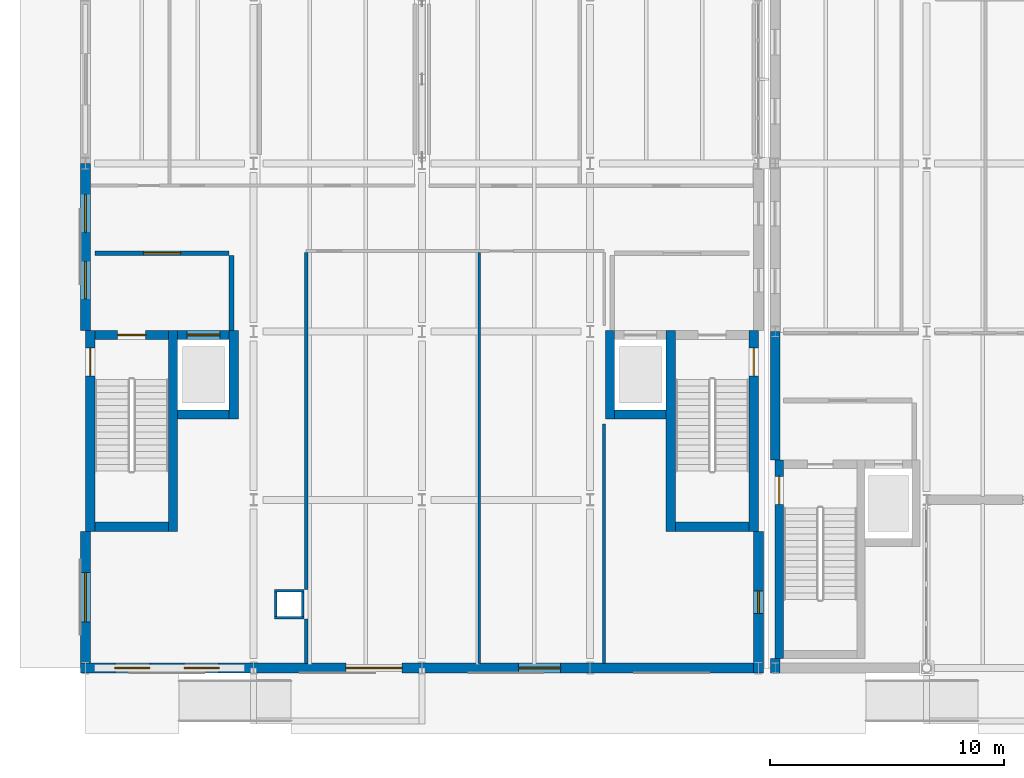
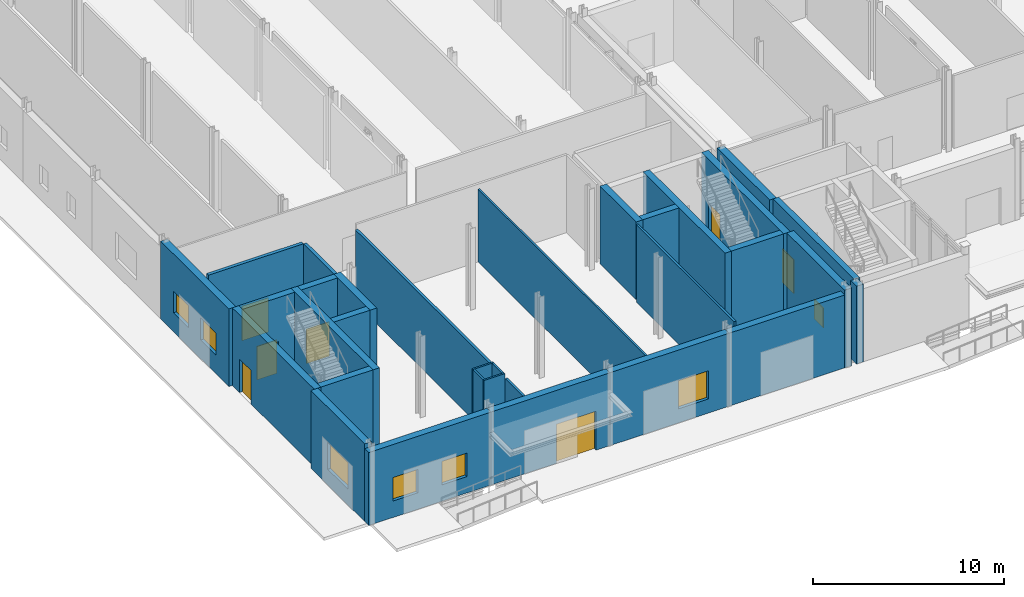
# One storey, part 58 of 89: 32 walls, 7 doors, 7 windows, 14 openings.
"""IFC4 building model written with IfcOpenShell, lengths in metres."""

import ifcopenshell
import ifcopenshell.guid

model = None  # the IFC model being written
_history = None  # IfcOwnerHistory: only IFC2X3 demands one
_inside = {}  # id of a spatial element -> (the spatial element, [elements in it])
_under = {}  # id of a project, library or spatial element -> (it, [spatial elements below it])
_declared = {}  # id of a project -> (the project, [libraries it declares])
_typed = {}  # id of a type object -> (the type object, [elements of that type])
_made_of = {}  # id of a material, layer set ... -> (it, [elements and type objects made of it])


def new_model(schema):
    """Start an empty IFC model of exactly this schema.

    Asked for "IFC4X3", IfcOpenShell would pick the latest addendum, in which some entities
    have other attributes; the version numbers below select the first issue.
    IFC2X3 requires an IfcOwnerHistory on every rooted entity: one is made here for all.
    """
    global model, _history
    if schema == "IFC4X3":
        model = ifcopenshell.file(schema_version=(4, 3, 0, 0))
    else:
        model = ifcopenshell.file(schema=schema)
    _inside.clear()
    _under.clear()
    _declared.clear()
    _typed.clear()
    _made_of.clear()
    _history = None
    if model.schema == "IFC2X3":
        org = make("IfcOrganization", Name="unknown")
        user = make(
            "IfcPersonAndOrganization",
            ThePerson=make("IfcPerson", FamilyName="unknown"),
            TheOrganization=org,
        )
        app = make(
            "IfcApplication",
            ApplicationDeveloper=org,
            Version="unknown",
            ApplicationFullName="unknown",
            ApplicationIdentifier="unknown",
        )
        _history = make(
            "IfcOwnerHistory",
            OwningUser=user,
            OwningApplication=app,
            ChangeAction="ADDED",
            CreationDate=0,
        )
    return model


def make(cls, **values):
    """One entity of the class cls with the attributes given. An attribute that is None is left unset."""
    return model.create_entity(
        cls, **{name: value for name, value in values.items() if value is not None}
    )


def rooted(cls, **values):
    """An entity with a GlobalId (a new one), such as an element, a storey or a relation."""
    return make(cls, GlobalId=ifcopenshell.guid.new(), OwnerHistory=_history, **values)


def si_unit(unit_type, name, prefix=None):
    """IfcSIUnit, for example si_unit("LENGTHUNIT", "METRE", prefix="MILLI")."""
    return make("IfcSIUnit", UnitType=unit_type, Prefix=prefix, Name=name)


def assignment(units):
    """IfcUnitAssignment: the units of a project."""
    return None if units is None else make("IfcUnitAssignment", Units=units)


def point(xyz):
    """IfcCartesianPoint."""
    return None if xyz is None else make("IfcCartesianPoint", Coordinates=xyz)


def direction(xyz):
    """IfcDirection."""
    return None if xyz is None else make("IfcDirection", DirectionRatios=xyz)


def frame(location, z_axis=None, x_axis=None):
    """IfcAxis2Placement3D, a coordinate frame: its origin and axes. An axis left out is left unset."""
    return make(
        "IfcAxis2Placement3D",
        Location=point(location),
        Axis=direction(z_axis),
        RefDirection=direction(x_axis),
    )


def frame_2d(location, x_axis=None):
    """IfcAxis2Placement2D, a coordinate frame in the plane: its origin and x axis."""
    return make(
        "IfcAxis2Placement2D", Location=point(location), RefDirection=direction(x_axis)
    )


def origin():
    """The frame at (0, 0, 0) with its axes left unset."""
    return frame((0.0, 0.0, 0.0))


def place(relative_to, where):
    """IfcLocalPlacement: puts the frame where relative to a parent placement (None: the world)."""
    return make(
        "IfcLocalPlacement", PlacementRelTo=relative_to, RelativePlacement=where
    )


def context(
    kind, dimensions, precision=None, world=None, true_north=None, identifier=None
):
    """IfcGeometricRepresentationContext, for example the 3D "Model" context."""
    return make(
        "IfcGeometricRepresentationContext",
        ContextIdentifier=identifier,
        ContextType=kind,
        CoordinateSpaceDimension=dimensions,
        Precision=precision,
        WorldCoordinateSystem=world,
        TrueNorth=true_north,
    )


def subcontext(parent, identifier, kind, view, scale=None):
    """IfcGeometricRepresentationSubContext, for example "Body" below "Model"."""
    return make(
        "IfcGeometricRepresentationSubContext",
        ContextIdentifier=identifier,
        ContextType=kind,
        ParentContext=parent,
        TargetScale=scale,
        TargetView=view,
    )


def project(units=None, contexts=None):
    """IfcProject with its units and contexts."""
    return rooted(
        "IfcProject",
        Name="project",
        RepresentationContexts=contexts,
        UnitsInContext=assignment(units),
    )


def spatial(cls, under=None, at=None, **own):
    """A site, building, storey or space (cls), placed at a placement, below another one or the project."""
    s = rooted(cls, ObjectPlacement=at, **own)
    if under is not None:
        _under.setdefault(under.id(), (under, []))[1].append(s)
    return s


def profile(cls, at=None, kind="AREA", **sizes):
    """A parametric profile (cls). Its sizes go by their IFC names, for example OverallWidth=200.0."""
    return make(cls, ProfileType=kind, Position=at, **sizes)


def rectangle(**sizes):
    """IfcRectangleProfileDef."""
    return profile("IfcRectangleProfileDef", **sizes)


def extrude(swept, where, along, depth):
    """IfcExtrudedAreaSolid: the profile swept, set in the frame where, extruded along a direction by depth."""
    return make(
        "IfcExtrudedAreaSolid",
        SweptArea=swept,
        Position=where,
        ExtrudedDirection=direction(along),
        Depth=depth,
    )


def shape(context_of_items, identifier, shape_type, items):
    """IfcShapeRepresentation: the items that make up one representation, for example the "Body"."""
    return make(
        "IfcShapeRepresentation",
        ContextOfItems=context_of_items,
        RepresentationIdentifier=identifier,
        RepresentationType=shape_type,
        Items=items,
    )


def material(Name=None, Category=None):
    """IfcMaterial."""
    return make("IfcMaterial", Name=Name, Category=Category)


def layer(
    of_material, thickness, ventilated=None, Name=None, Category=None, Priority=None
):
    """IfcMaterialLayer: one layer of a wall or slab, of a material (None: an air gap)."""
    return make(
        "IfcMaterialLayer",
        Material=of_material,
        LayerThickness=thickness,
        IsVentilated=ventilated,
        Name=Name,
        Category=Category,
        Priority=Priority,
    )


def layer_set(layers, Name=None):
    """IfcMaterialLayerSet."""
    return make("IfcMaterialLayerSet", MaterialLayers=layers, LayerSetName=Name)


def made_of(thing, what):
    """Note that an element or type object is made of a material, layer set ...; save() writes the relation."""
    if what is not None:
        _made_of.setdefault(what.id(), (what, []))[1].append(thing)
    return thing


def type_object(cls, material=None, **own):
    """A type object (cls), such as IfcWallType, which elements share."""
    return made_of(rooted(cls, **own), material)


def element(
    cls,
    number,
    at=None,
    inside=None,
    cuts=None,
    type_object=None,
    material=None,
    context=None,
    identifier="Body",
    shape_type=None,
    held_by="IfcProductDefinitionShape",
    body=None,
    shapes=None,
    **own,
):
    """One element of the class cls, such as IfcWall. Its Tag is "e" and its number.

    at: its placement. inside: the storey or other place that contains it. cuts: it is an
    opening in that element (IfcRelVoidsElement). A single representation is given by context,
    identifier, shape_type and body (its items); several are given by shapes. held_by: the class
    of the entity that holds the representations. save() writes the other relations.
    """
    e = rooted(cls, Tag="e%d" % number, ObjectPlacement=at, **own)
    if body is not None:
        shapes = [shape(context, identifier, shape_type, body)]
    if shapes is not None:
        e.Representation = make(held_by, Representations=shapes)
    if inside is not None:
        _inside.setdefault(inside.id(), (inside, []))[1].append(e)
    if cuts is not None:
        rooted(
            "IfcRelVoidsElement", RelatingBuildingElement=cuts, RelatedOpeningElement=e
        )
    if type_object is not None:
        _typed.setdefault(type_object.id(), (type_object, []))[1].append(e)
    return made_of(e, material)


def fill(opening, filler):
    """IfcRelFillsElement: the door or window that sits in an opening."""
    return rooted(
        "IfcRelFillsElement",
        RelatingOpeningElement=opening,
        RelatedBuildingElement=filler,
    )


def aggregate(whole, parts):
    """IfcRelAggregates: a whole, such as a stair, and the parts it consists of."""
    return rooted("IfcRelAggregates", RelatingObject=whole, RelatedObjects=parts)


def save(model, path):
    """Write the relations noted so far, then the file.

    IfcRelAggregates (storeys below a building ...), IfcRelContainedInSpatialStructure (elements
    in a storey), IfcRelDefinesByType, IfcRelAssociatesMaterial and IfcRelDeclares: one each for
    every whole, place, type object, material and project.
    """
    for whole, parts in _under.values():
        aggregate(whole, parts)
    for where, things in _inside.values():
        rooted(
            "IfcRelContainedInSpatialStructure",
            RelatedElements=things,
            RelatingStructure=where,
        )
    for kind, things in _typed.values():
        rooted("IfcRelDefinesByType", RelatedObjects=things, RelatingType=kind)
    for what, things in _made_of.values():
        rooted("IfcRelAssociatesMaterial", RelatedObjects=things, RelatingMaterial=what)
    for by, libraries in _declared.values():
        rooted("IfcRelDeclares", RelatingContext=by, RelatedDefinitions=libraries)
    model.write(path)


model = new_model("IFC4")

# Units and contexts
model_context = context("Model", 3, precision=1e-05, world=origin(), true_north=direction((0.0, 1.0)))
body_context = subcontext(model_context, "Body", "Model", "MODEL_VIEW")
ifc_project = project(units=[si_unit("LENGTHUNIT", "METRE"), si_unit("AREAUNIT", "SQUARE_METRE"), si_unit("VOLUMEUNIT", "CUBIC_METRE"), si_unit("PLANEANGLEUNIT", "RADIAN"), si_unit("MASSUNIT", "GRAM", prefix="KILO")], contexts=[model_context])

# Site, building, storey
site_placement = place(None, origin())
site = spatial("IfcSite", under=ifc_project, at=site_placement, CompositionType="ELEMENT")
building_placement = place(site_placement, origin())
building = spatial("IfcBuilding", under=site, at=building_placement, Name="Zarrinpeak Specialist Clinic", CompositionType="ELEMENT")
storey_placement = place(building_placement, origin())
storey = spatial("IfcBuildingStorey", under=building, at=storey_placement, Name="L00", CompositionType="ELEMENT", Elevation=0.0)

# Wall, opening, door
ifc_material_1 = material(Name="Concrete C40/50", Category="concrete")
ifc_layer_1 = layer(ifc_material_1, 0.35009765625)
ifc_layer_set_1 = layer_set([ifc_layer_1], Name="Concrete C40/50")
wall_type_1 = type_object("IfcWallType", Name="WL-CR350", PredefinedType="SHEAR", material=ifc_layer_set_1)
wall_1_placement = place(storey_placement, frame((29.695068359375, 0.39990234375, 0.0), z_axis=(0.0, 0.0, 1.0), x_axis=(0.0, 1.0, 0.0)))
wall_1 = element("IfcWall", 1, at=wall_1_placement, inside=storey, type_object=wall_type_1, Name="L00 Core C03 Shear Wall STW", PredefinedType="SHEAR", context=body_context, shape_type="SweptSolid", body=[
    extrude(rectangle(XDim=8.5, YDim=0.35009765625, at=frame_2d((4.25, 0.0))), origin(), (0.0, 0.0, 1.0), 4.969970703125),
])
opening_1_placement = place(wall_1_placement, frame((6.60009765625, 0.0, 0.0)))
opening_1 = element("IfcOpeningElement", 2, at=opening_1_placement, cuts=wall_1, Name="Opening D-EX2", PredefinedType="OPENING", context=body_context, shape_type="SweptSolid", body=[
    extrude(rectangle(XDim=1.199951171875, YDim=2.14990234375, at=frame_2d((0.60009765625, 1.074951171875))), frame((0.0, 0.18505859375, 0.0), z_axis=(0.0, -1.0, 0.0), x_axis=(1.0, 0.0, 0.0)), (0.0, 0.0, 1.0), 0.3701171875),
])
ifc_material_2 = material(Name="Powder-Coated Steel and Safety Glazing", Category="steel")
door_type_1 = type_object("IfcDoorType", Name="DR-EX120", OperationType="SINGLE_SWING_LEFT", PredefinedType="DOOR", material=ifc_material_2)
door_1_placement = place(opening_1_placement, frame((1.199951171875, 0.0, 0.0), z_axis=(0.0, 0.0, 1.0), x_axis=(-1.0, 0.0, 0.0)))
door_1 = element("IfcDoor", 3, at=door_1_placement, inside=storey, type_object=door_type_1, Name="L00 Protected Stair ST-03 Final Exit Discharge Door ED-03", OperationType="SINGLE_SWING_LEFT", OverallHeight=2.14990234375, OverallWidth=1.199951171875, PredefinedType="DOOR", context=body_context, shape_type="SweptSolid", body=[
    extrude(rectangle(XDim=1.199951171875, YDim=2.14990234375, at=frame_2d((0.60009765625, 1.074951171875))), frame((0.0, 0.02490234375, 0.0), z_axis=(0.0, -1.0, 0.0), x_axis=(1.0, 0.0, 0.0)), (0.0, 0.0, 1.0), 0.050048828125),
])
fill(opening_1, door_1)

# Wall
ifc_layer_2 = layer(ifc_material_1, 0.39990234375)
ifc_layer_set_2 = layer_set([ifc_layer_2], Name="Concrete C40/50")
wall_type_2 = type_object("IfcWallType", Name="WL-CR400", PredefinedType="SHEAR", material=ifc_layer_set_2)
wall_2_placement = place(storey_placement, frame((0.39990234375, 6.050048828125, 0.0), z_axis=(0.0, 0.0, 1.0), x_axis=(1.0, 0.0, 0.0)))
element("IfcWall", 4, at=wall_2_placement, inside=storey, type_object=wall_type_2, Name="L00 Core C01 Shear Wall STS", PredefinedType="SHEAR", context=body_context, shape_type="SweptSolid", body=[
    extrude(rectangle(XDim=3.150146484375, YDim=0.39990234375, at=frame_2d((1.5751953125, 0.0))), origin(), (0.0, 0.0, 1.0), 4.969970703125),
])

# Wall, opening, door
wall_3_placement = place(storey_placement, frame((0.39990234375, 14.25, 0.0), z_axis=(0.0, 0.0, 1.0), x_axis=(1.0, 0.0, 0.0)))
wall_3 = element("IfcWall", 5, at=wall_3_placement, inside=storey, type_object=wall_type_2, Name="L00 Core C01 Shear Wall STN", PredefinedType="SHEAR", context=body_context, shape_type="SweptSolid", body=[
    extrude(rectangle(XDim=3.150146484375, YDim=0.39990234375, at=frame_2d((1.5751953125, 0.0))), origin(), (0.0, 0.0, 1.0), 4.969970703125),
])
opening_2_placement = place(wall_3_placement, frame((0.97509765625, 0.0, 0.0)))
opening_2 = element("IfcOpeningElement", 6, at=opening_2_placement, cuts=wall_3, Name="Opening D-S01", PredefinedType="OPENING", context=body_context, shape_type="SweptSolid", body=[
    extrude(rectangle(XDim=1.199951171875, YDim=2.14990234375, at=frame_2d((0.60009765625, 1.074951171875))), frame((0.0, 0.2099609375, 0.0), z_axis=(0.0, -1.0, 0.0), x_axis=(1.0, 0.0, 0.0)), (0.0, 0.0, 1.0), 0.419921875),
])
ifc_material_3 = material(Name="Powder-Coated Galvanised Steel", Category="steel")
door_type_2 = type_object("IfcDoorType", Name="DR-FD120", OperationType="SINGLE_SWING_LEFT", PredefinedType="DOOR", material=ifc_material_3)
door_2_placement = place(opening_2_placement, frame((1.199951171875, 0.0, 0.0), z_axis=(0.0, 0.0, 1.0), x_axis=(-1.0, 0.0, 0.0)))
door_2 = element("IfcDoor", 7, at=door_2_placement, inside=storey, type_object=door_type_2, Name="L00 Protected Stair ST-01 Fire Door", OperationType="SINGLE_SWING_LEFT", OverallHeight=2.14990234375, OverallWidth=1.199951171875, PredefinedType="DOOR", context=body_context, shape_type="SweptSolid", body=[
    extrude(rectangle(XDim=1.199951171875, YDim=2.14990234375, at=frame_2d((0.60009765625, 1.074951171875))), frame((0.0, 0.02490234375, 0.0), z_axis=(0.0, -1.0, 0.0), x_axis=(1.0, 0.0, 0.0)), (0.0, 0.0, 1.0), 0.050048828125),
])
fill(opening_2, door_2)

wall_4_placement = place(storey_placement, frame((0.199951171875, 5.85009765625, 0.0), z_axis=(0.0, 0.0, 1.0), x_axis=(0.0, 1.0, 0.0)))
wall_4 = element("IfcWall", 8, at=wall_4_placement, inside=storey, type_object=wall_type_2, Name="L00 Core C01 Shear Wall STW", PredefinedType="SHEAR", context=body_context, shape_type="SweptSolid", body=[
    extrude(rectangle(XDim=8.599853515625, YDim=0.39990234375, at=frame_2d((4.2998046875, 0.0))), origin(), (0.0, 0.0, 1.0), 4.969970703125),
])
opening_3_placement = place(wall_4_placement, frame((6.64990234375, 0.0, 0.0)))
opening_3 = element("IfcOpeningElement", 9, at=opening_3_placement, cuts=wall_4, Name="Opening D-EX2", PredefinedType="OPENING", context=body_context, shape_type="SweptSolid", body=[
    extrude(rectangle(XDim=1.199951171875, YDim=2.14990234375, at=frame_2d((0.60009765625, 1.074951171875))), frame((0.0, 0.2099609375, 0.0), z_axis=(0.0, -1.0, 0.0), x_axis=(1.0, 0.0, 0.0)), (0.0, 0.0, 1.0), 0.419921875),
])
door_3_placement = place(opening_3_placement, origin())
door_3 = element("IfcDoor", 10, at=door_3_placement, inside=storey, type_object=door_type_1, Name="L00 Protected Stair ST-01 Final Exit Discharge Door ED-01", OperationType="SINGLE_SWING_LEFT", OverallHeight=2.14990234375, OverallWidth=1.199951171875, PredefinedType="DOOR", context=body_context, shape_type="SweptSolid", body=[
    extrude(rectangle(XDim=1.199951171875, YDim=2.14990234375, at=frame_2d((0.60009765625, 1.074951171875))), frame((0.0, 0.02490234375, 0.0), z_axis=(0.0, -1.0, 0.0), x_axis=(1.0, 0.0, 0.0)), (0.0, 0.0, 1.0), 0.050048828125),
])
fill(opening_3, door_3)

# Walls
wall_5_placement = place(storey_placement, frame((3.75, 5.85009765625, 0.0), z_axis=(0.0, 0.0, 1.0), x_axis=(0.0, 1.0, 0.0)))
element("IfcWall", 11, at=wall_5_placement, inside=storey, type_object=wall_type_2, Name="L00 Core C01 Shear Wall STE", PredefinedType="SHEAR", context=body_context, shape_type="SweptSolid", body=[
    extrude(rectangle(XDim=8.599853515625, YDim=0.39990234375, at=frame_2d((4.2998046875, 0.0))), origin(), (0.0, 0.0, 1.0), 4.969970703125),
])
wall_6_placement = place(storey_placement, frame((3.949951171875, 10.85009765625, 0.0), z_axis=(0.0, 0.0, 1.0), x_axis=(1.0, 0.0, 0.0)))
element("IfcWall", 12, at=wall_6_placement, inside=storey, type_object=wall_type_2, Name="L00 Lift LF-FF1 Shaft Wall LFS", PredefinedType="SHEAR", context=body_context, shape_type="SweptSolid", body=[
    extrude(rectangle(XDim=2.199951171875, YDim=0.39990234375, at=frame_2d((1.10009765625, 0.0))), origin(), (0.0, 0.0, 1.0), 4.969970703125),
])

# Wall, opening, door
wall_7_placement = place(storey_placement, frame((3.949951171875, 14.25, 0.0), z_axis=(0.0, 0.0, 1.0), x_axis=(1.0, 0.0, 0.0)))
wall_7 = element("IfcWall", 13, at=wall_7_placement, inside=storey, type_object=wall_type_2, Name="L00 Lift LF-FF1 Shaft Wall LFN", PredefinedType="SHEAR", context=body_context, shape_type="SweptSolid", body=[
    extrude(rectangle(XDim=2.199951171875, YDim=0.39990234375, at=frame_2d((1.10009765625, 0.0))), origin(), (0.0, 0.0, 1.0), 4.969970703125),
])
opening_4_placement = place(wall_7_placement, frame((0.39990234375, 0.0, 0.0)))
opening_4 = element("IfcOpeningElement", 14, at=opening_4_placement, cuts=wall_7, Name="Opening LD-01", PredefinedType="OPENING", context=body_context, shape_type="SweptSolid", body=[
    extrude(rectangle(XDim=1.39990234375, YDim=2.199951171875, at=frame_2d((0.699951171875, 1.10009765625))), frame((0.0, 0.2099609375, 0.0), z_axis=(0.0, -1.0, 0.0), x_axis=(1.0, 0.0, 0.0)), (0.0, 0.0, 1.0), 0.419921875),
])
door_type_3 = type_object("IfcDoorType", Name="DR-LD140", OperationType="SLIDING_TO_LEFT", PredefinedType="DOOR", material=ifc_material_3)
door_4_placement = place(opening_4_placement, origin())
door_4 = element("IfcDoor", 15, at=door_4_placement, inside=storey, type_object=door_type_3, Name="L00 Lift LF-FF1 Sliding Landing Door", OperationType="SLIDING_TO_LEFT", OverallHeight=2.199951171875, OverallWidth=1.39990234375, PredefinedType="DOOR", context=body_context, shape_type="SweptSolid", body=[
    extrude(rectangle(XDim=1.39990234375, YDim=2.199951171875, at=frame_2d((0.699951171875, 1.10009765625))), frame((0.0, 0.02490234375, 0.0), z_axis=(0.0, -1.0, 0.0), x_axis=(1.0, 0.0, 0.0)), (0.0, 0.0, 1.0), 0.050048828125),
])
fill(opening_4, door_4)

# Walls
wall_8_placement = place(storey_placement, frame((6.35009765625, 10.64990234375, 0.0), z_axis=(0.0, 0.0, 1.0), x_axis=(0.0, 1.0, 0.0)))
element("IfcWall", 16, at=wall_8_placement, inside=storey, type_object=wall_type_2, Name="L00 Lift LF-FF1 Shaft Wall LFE", PredefinedType="SHEAR", context=body_context, shape_type="SweptSolid", body=[
    extrude(rectangle(XDim=3.800048828125, YDim=0.39990234375, at=frame_2d((1.89990234375, 0.0))), origin(), (0.0, 0.0, 1.0), 4.969970703125),
])
wall_9_placement = place(storey_placement, frame((25.25, 6.050048828125, 0.0), z_axis=(0.0, 0.0, 1.0), x_axis=(1.0, 0.0, 0.0)))
element("IfcWall", 17, at=wall_9_placement, inside=storey, type_object=wall_type_2, Name="L00 Core C02 Shear Wall STS", PredefinedType="SHEAR", context=body_context, shape_type="SweptSolid", body=[
    extrude(rectangle(XDim=3.14990234375, YDim=0.39990234375, at=frame_2d((1.574951171875, 0.0))), origin(), (0.0, 0.0, 1.0), 4.969970703125),
])
wall_10_placement = place(storey_placement, frame((25.050048828125, 5.85009765625, 0.0), z_axis=(0.0, 0.0, 1.0), x_axis=(0.0, 1.0, 0.0)))
element("IfcWall", 18, at=wall_10_placement, inside=storey, type_object=wall_type_2, Name="L00 Core C02 Shear Wall STW", PredefinedType="SHEAR", context=body_context, shape_type="SweptSolid", body=[
    extrude(rectangle(XDim=8.599853515625, YDim=0.39990234375, at=frame_2d((4.2998046875, 0.0))), origin(), (0.0, 0.0, 1.0), 4.969970703125),
])

# Wall, opening, door
wall_11_placement = place(storey_placement, frame((28.60009765625, 5.85009765625, 0.0), z_axis=(0.0, 0.0, 1.0), x_axis=(0.0, 1.0, 0.0)))
wall_11 = element("IfcWall", 19, at=wall_11_placement, inside=storey, type_object=wall_type_2, Name="L00 Core C02 Shear Wall STE", PredefinedType="SHEAR", context=body_context, shape_type="SweptSolid", body=[
    extrude(rectangle(XDim=8.599853515625, YDim=0.39990234375, at=frame_2d((4.2998046875, 0.0))), origin(), (0.0, 0.0, 1.0), 4.969970703125),
])
opening_5_placement = place(wall_11_placement, frame((6.64990234375, 0.0, 0.0)))
opening_5 = element("IfcOpeningElement", 20, at=opening_5_placement, cuts=wall_11, Name="Opening D-EX2", PredefinedType="OPENING", context=body_context, shape_type="SweptSolid", body=[
    extrude(rectangle(XDim=1.199951171875, YDim=2.14990234375, at=frame_2d((0.60009765625, 1.074951171875))), frame((0.0, 0.2099609375, 0.0), z_axis=(0.0, -1.0, 0.0), x_axis=(1.0, 0.0, 0.0)), (0.0, 0.0, 1.0), 0.419921875),
])
door_5_placement = place(opening_5_placement, origin())
door_5 = element("IfcDoor", 21, at=door_5_placement, inside=storey, type_object=door_type_1, Name="L00 Protected Stair ST-02 Final Exit Discharge Door ED-02", OperationType="SINGLE_SWING_LEFT", OverallHeight=2.14990234375, OverallWidth=1.199951171875, PredefinedType="DOOR", context=body_context, shape_type="SweptSolid", body=[
    extrude(rectangle(XDim=1.199951171875, YDim=2.14990234375, at=frame_2d((0.60009765625, 1.074951171875))), frame((0.0, 0.02490234375, 0.0), z_axis=(0.0, -1.0, 0.0), x_axis=(1.0, 0.0, 0.0)), (0.0, 0.0, 1.0), 0.050048828125),
])
fill(opening_5, door_5)

# Walls
wall_12_placement = place(storey_placement, frame((22.64990234375, 10.85009765625, 0.0), z_axis=(0.0, 0.0, 1.0), x_axis=(1.0, 0.0, 0.0)))
element("IfcWall", 22, at=wall_12_placement, inside=storey, type_object=wall_type_2, Name="L00 Lift LF-FF2 Shaft Wall LFS", PredefinedType="SHEAR", context=body_context, shape_type="SweptSolid", body=[
    extrude(rectangle(XDim=2.2001953125, YDim=0.39990234375, at=frame_2d((1.10009765625, 0.0))), origin(), (0.0, 0.0, 1.0), 4.969970703125),
])
wall_13_placement = place(storey_placement, frame((22.449951171875, 10.64990234375, 0.0), z_axis=(0.0, 0.0, 1.0), x_axis=(0.0, 1.0, 0.0)))
element("IfcWall", 23, at=wall_13_placement, inside=storey, type_object=wall_type_2, Name="L00 Lift LF-FF2 Shaft Wall LFW", PredefinedType="SHEAR", context=body_context, shape_type="SweptSolid", body=[
    extrude(rectangle(XDim=3.800048828125, YDim=0.39990234375, at=frame_2d((1.89990234375, 0.0))), origin(), (0.0, 0.0, 1.0), 4.969970703125),
])

# Wall, openings, windows
ifc_material_4 = material(Name="Precast concrete C40/50", Category="concrete")
ifc_layer_3 = layer(ifc_material_4, 0.419921875)
ifc_layer_set_3 = layer_set([ifc_layer_3], Name="Precast concrete C40/50")
wall_type_3 = type_object("IfcWallType", Name="WL-EW420", PredefinedType="STANDARD", material=ifc_layer_set_3)
wall_14_placement = place(storey_placement, frame((-0.2099609375, 0.0, 0.0), z_axis=(0.0, 0.0, 1.0), x_axis=(1.0, 0.0, 0.0)))
wall_14 = element("IfcWall", 24, at=wall_14_placement, inside=storey, type_object=wall_type_3, Name="L00 V1 Exterior GRC Wall EW-L00-V1-0001", PredefinedType="STANDARD", context=body_context, shape_type="SweptSolid", body=[
    extrude(rectangle(XDim=7.409912109375, YDim=0.419921875, at=frame_2d((3.705078125, 0.0))), origin(), (0.0, 0.0, 1.0), 4.6650390625),
])
opening_6_placement = place(wall_14_placement, frame((1.472900390625, 0.0, 1.050048828125)))
opening_6 = element("IfcOpeningElement", 25, at=opening_6_placement, cuts=wall_14, Name="Opening W-05", PredefinedType="OPENING", context=body_context, shape_type="SweptSolid", body=[
    extrude(rectangle(XDim=1.5, YDim=1.5, at=frame_2d((0.75, 0.75))), frame((0.0, 0.219970703125, 0.0), z_axis=(0.0, -1.0, 0.0), x_axis=(1.0, 0.0, 0.0)), (0.0, 0.0, 1.0), 0.43994140625),
])
opening_7_placement = place(wall_14_placement, frame((4.43701171875, 0.0, 1.050048828125)))
opening_7 = element("IfcOpeningElement", 26, at=opening_7_placement, cuts=wall_14, Name="Opening W-05", PredefinedType="OPENING", context=body_context, shape_type="SweptSolid", body=[
    extrude(rectangle(XDim=1.5, YDim=1.5, at=frame_2d((0.75, 0.75))), frame((0.0, 0.219970703125, 0.0), z_axis=(0.0, -1.0, 0.0), x_axis=(1.0, 0.0, 0.0)), (0.0, 0.0, 1.0), 0.43994140625),
])
ifc_material_5 = material(Name="Thermally Broken Aluminium and Low-E Glazing", Category="aluminium")
window_type_1 = type_object("IfcWindowType", Name="WN-SQ150", PartitioningType="SINGLE_PANEL", PredefinedType="WINDOW", material=ifc_material_5)
window_1_placement = place(opening_6_placement, origin())
window_1 = element("IfcWindow", 27, at=window_1_placement, inside=storey, type_object=window_type_1, Name="L00 Modular Facade Window WN-L00-0001", OverallHeight=1.5, OverallWidth=1.5, PartitioningType="SINGLE_PANEL", PredefinedType="WINDOW", context=body_context, shape_type="SweptSolid", body=[
    extrude(rectangle(XDim=1.5, YDim=1.5, at=frame_2d((0.75, 0.75))), frame((0.0, 0.030029296875, 0.0), z_axis=(0.0, -1.0, 0.0), x_axis=(1.0, 0.0, 0.0)), (0.0, 0.0, 1.0), 0.06005859375),
])
fill(opening_6, window_1)
window_2_placement = place(opening_7_placement, origin())
window_2 = element("IfcWindow", 28, at=window_2_placement, inside=storey, type_object=window_type_1, Name="L00 Modular Facade Window WN-L00-0002", OverallHeight=1.5, OverallWidth=1.5, PartitioningType="SINGLE_PANEL", PredefinedType="WINDOW", context=body_context, shape_type="SweptSolid", body=[
    extrude(rectangle(XDim=1.5, YDim=1.5, at=frame_2d((0.75, 0.75))), frame((0.0, 0.030029296875, 0.0), z_axis=(0.0, -1.0, 0.0), x_axis=(1.0, 0.0, 0.0)), (0.0, 0.0, 1.0), 0.06005859375),
])
fill(opening_7, window_2)

# Wall, opening, door
wall_15_placement = place(storey_placement, frame((7.199951171875, 0.0, 0.0), z_axis=(0.0, 0.0, 1.0), x_axis=(1.0, 0.0, 0.0)))
wall_15 = element("IfcWall", 29, at=wall_15_placement, inside=storey, type_object=wall_type_3, Name="L00 V1 Exterior GRC Wall EW-L00-V1-0002", PredefinedType="STANDARD", context=body_context, shape_type="SweptSolid", body=[
    extrude(rectangle(XDim=7.199951171875, YDim=0.419921875, at=frame_2d((3.60009765625, 0.0))), origin(), (0.0, 0.0, 1.0), 4.6650390625),
])
opening_8_placement = place(wall_15_placement, frame((3.949951171875, 0.0, 0.0)))
opening_8 = element("IfcOpeningElement", 30, at=opening_8_placement, cuts=wall_15, Name="Opening D-E01", PredefinedType="OPENING", context=body_context, shape_type="SweptSolid", body=[
    extrude(rectangle(XDim=2.39990234375, YDim=2.5, at=frame_2d((1.199951171875, 1.25))), frame((0.0, 0.219970703125, 0.0), z_axis=(0.0, -1.0, 0.0), x_axis=(1.0, 0.0, 0.0)), (0.0, 0.0, 1.0), 0.43994140625),
])
door_type_4 = type_object("IfcDoorType", Name="DR-ENT240", OperationType="DOUBLE_DOOR_SINGLE_SWING", PredefinedType="DOOR", material=ifc_material_2)
door_6_placement = place(opening_8_placement, origin())
door_6 = element("IfcDoor", 31, at=door_6_placement, inside=storey, type_object=door_type_4, Name="V1 South Promenade Outpatient Main Entrance", OperationType="DOUBLE_DOOR_SINGLE_SWING", OverallHeight=2.5, OverallWidth=2.39990234375, PredefinedType="DOOR", context=body_context, shape_type="SweptSolid", body=[
    extrude(rectangle(XDim=2.39990234375, YDim=2.5, at=frame_2d((1.199951171875, 1.25))), frame((0.0, 0.02490234375, 0.0), z_axis=(0.0, -1.0, 0.0), x_axis=(1.0, 0.0, 0.0)), (0.0, 0.0, 1.0), 0.050048828125),
])
fill(opening_8, door_6)

# Wall, opening, window
wall_16_placement = place(storey_placement, frame((14.39990234375, 0.0, 0.0), z_axis=(0.0, 0.0, 1.0), x_axis=(1.0, 0.0, 0.0)))
wall_16 = element("IfcWall", 32, at=wall_16_placement, inside=storey, type_object=wall_type_3, Name="L00 V1 Exterior GRC Wall EW-L00-V1-0003", PredefinedType="STANDARD", context=body_context, shape_type="SweptSolid", body=[
    extrude(rectangle(XDim=7.2001953125, YDim=0.419921875, at=frame_2d((3.60009765625, 0.0))), origin(), (0.0, 0.0, 1.0), 4.6650390625),
])
opening_9_placement = place(wall_16_placement, frame((4.139892578125, 0.0, 0.89990234375)))
opening_9 = element("IfcOpeningElement", 33, at=opening_9_placement, cuts=wall_16, Name="Opening W-01", PredefinedType="OPENING", context=body_context, shape_type="SweptSolid", body=[
    extrude(rectangle(XDim=1.800048828125, YDim=1.800048828125, at=frame_2d((0.89990234375, 0.89990234375))), frame((0.0, 0.219970703125, 0.0), z_axis=(0.0, -1.0, 0.0), x_axis=(1.0, 0.0, 0.0)), (0.0, 0.0, 1.0), 0.43994140625),
])
window_type_2 = type_object("IfcWindowType", Name="WN-CL180", PartitioningType="SINGLE_PANEL", PredefinedType="WINDOW", material=ifc_material_5)
window_3_placement = place(opening_9_placement, origin())
window_3 = element("IfcWindow", 34, at=window_3_placement, inside=storey, type_object=window_type_2, Name="L00 Modular Facade Window WN-L00-0003", OverallHeight=1.800048828125, OverallWidth=1.800048828125, PartitioningType="SINGLE_PANEL", PredefinedType="WINDOW", context=body_context, shape_type="SweptSolid", body=[
    extrude(rectangle(XDim=1.800048828125, YDim=1.800048828125, at=frame_2d((0.89990234375, 0.89990234375))), frame((0.0, 0.030029296875, 0.0), z_axis=(0.0, -1.0, 0.0), x_axis=(1.0, 0.0, 0.0)), (0.0, 0.0, 1.0), 0.06005859375),
])
fill(opening_9, window_3)

# Wall
wall_17_placement = place(storey_placement, frame((21.60009765625, 0.0, 0.0), z_axis=(0.0, 0.0, 1.0), x_axis=(1.0, 0.0, 0.0)))
element("IfcWall", 35, at=wall_17_placement, inside=storey, type_object=wall_type_3, Name="L00 V1 Exterior GRC Wall EW-L00-V1-0004", PredefinedType="STANDARD", context=body_context, shape_type="SweptSolid", body=[
    extrude(rectangle(XDim=6.989990234375, YDim=0.419921875, at=frame_2d((3.4951171875, 0.0))), origin(), (0.0, 0.0, 1.0), 4.6650390625),
])

# Wall, opening, window
wall_18_placement = place(storey_placement, frame((0.0, 5.85009765625, 0.0), z_axis=(0.0, 0.0, 1.0), x_axis=(0.0, -1.0, 0.0)))
wall_18 = element("IfcWall", 36, at=wall_18_placement, inside=storey, type_object=wall_type_3, Name="L00 V1 Exterior GRC Wall EW-L00-V1-0007", PredefinedType="STANDARD", context=body_context, shape_type="SweptSolid", body=[
    extrude(rectangle(XDim=5.64013671875, YDim=0.419921875, at=frame_2d((2.820068359375, 0.0))), origin(), (0.0, 0.0, 1.0), 4.969970703125),
])
opening_10_placement = place(wall_18_placement, frame((1.77001953125, 0.0, 1.0)))
opening_10 = element("IfcOpeningElement", 37, at=opening_10_placement, cuts=wall_18, Name="Opening W-08", PredefinedType="OPENING", context=body_context, shape_type="SweptSolid", body=[
    extrude(rectangle(XDim=2.10009765625, YDim=1.699951171875, at=frame_2d((1.050048828125, 0.85009765625))), frame((0.0, 0.219970703125, 0.0), z_axis=(0.0, -1.0, 0.0), x_axis=(1.0, 0.0, 0.0)), (0.0, 0.0, 1.0), 0.43994140625),
])
window_type_3 = type_object("IfcWindowType", Name="WN-LAB210", PartitioningType="SINGLE_PANEL", PredefinedType="WINDOW", material=ifc_material_5)
window_4_placement = place(opening_10_placement, origin())
window_4 = element("IfcWindow", 38, at=window_4_placement, inside=storey, type_object=window_type_3, Name="L00 Modular Facade Window WN-L00-0008", OverallHeight=1.699951171875, OverallWidth=2.10009765625, PartitioningType="SINGLE_PANEL", PredefinedType="WINDOW", context=body_context, shape_type="SweptSolid", body=[
    extrude(rectangle(XDim=2.10009765625, YDim=1.699951171875, at=frame_2d((1.050048828125, 0.85009765625))), frame((0.0, 0.030029296875, 0.0), z_axis=(0.0, -1.0, 0.0), x_axis=(1.0, 0.0, 0.0)), (0.0, 0.0, 1.0), 0.06005859375),
])
fill(opening_10, window_4)

# Wall, openings, windows
wall_19_placement = place(storey_placement, frame((0.0, 21.60009765625, 0.0), z_axis=(0.0, 0.0, 1.0), x_axis=(0.0, -1.0, 0.0)))
wall_19 = element("IfcWall", 39, at=wall_19_placement, inside=storey, type_object=wall_type_3, Name="L00 V1 Exterior GRC Wall EW-L00-V1-0008", PredefinedType="STANDARD", context=body_context, shape_type="SweptSolid", body=[
    extrude(rectangle(XDim=7.150146484375, YDim=0.419921875, at=frame_2d((3.5751953125, 0.0))), origin(), (0.0, 0.0, 1.0), 4.969970703125),
])
opening_11_placement = place(wall_19_placement, frame((1.344970703125, 0.0, 1.199951171875)))
opening_11 = element("IfcOpeningElement", 40, at=opening_11_placement, cuts=wall_19, Name="Opening W-10", PredefinedType="OPENING", context=body_context, shape_type="SweptSolid", body=[
    extrude(rectangle(XDim=1.60009765625, YDim=1.39990234375, at=frame_2d((0.800048828125, 0.699951171875))), frame((0.0, 0.219970703125, 0.0), z_axis=(0.0, -1.0, 0.0), x_axis=(1.0, 0.0, 0.0)), (0.0, 0.0, 1.0), 0.43994140625),
])
opening_12_placement = place(wall_19_placement, frame((4.205078125, 0.0, 1.199951171875)))
opening_12 = element("IfcOpeningElement", 41, at=opening_12_placement, cuts=wall_19, Name="Opening W-10", PredefinedType="OPENING", context=body_context, shape_type="SweptSolid", body=[
    extrude(rectangle(XDim=1.60009765625, YDim=1.39990234375, at=frame_2d((0.800048828125, 0.699951171875))), frame((0.0, 0.219970703125, 0.0), z_axis=(0.0, -1.0, 0.0), x_axis=(1.0, 0.0, 0.0)), (0.0, 0.0, 1.0), 0.43994140625),
])
window_type_4 = type_object("IfcWindowType", Name="WN-NRS160", PartitioningType="SINGLE_PANEL", PredefinedType="WINDOW", material=ifc_material_5)
window_5_placement = place(opening_11_placement, origin())
window_5 = element("IfcWindow", 42, at=window_5_placement, inside=storey, type_object=window_type_4, Name="L00 Modular Facade Window WN-L00-0009", OverallHeight=1.39990234375, OverallWidth=1.60009765625, PartitioningType="SINGLE_PANEL", PredefinedType="WINDOW", context=body_context, shape_type="SweptSolid", body=[
    extrude(rectangle(XDim=1.60009765625, YDim=1.39990234375, at=frame_2d((0.800048828125, 0.699951171875))), frame((0.0, 0.030029296875, 0.0), z_axis=(0.0, -1.0, 0.0), x_axis=(1.0, 0.0, 0.0)), (0.0, 0.0, 1.0), 0.06005859375),
])
fill(opening_11, window_5)
window_6_placement = place(opening_12_placement, origin())
window_6 = element("IfcWindow", 43, at=window_6_placement, inside=storey, type_object=window_type_4, Name="L00 Modular Facade Window WN-L00-0010", OverallHeight=1.39990234375, OverallWidth=1.60009765625, PartitioningType="SINGLE_PANEL", PredefinedType="WINDOW", context=body_context, shape_type="SweptSolid", body=[
    extrude(rectangle(XDim=1.60009765625, YDim=1.39990234375, at=frame_2d((0.800048828125, 0.699951171875))), frame((0.0, 0.030029296875, 0.0), z_axis=(0.0, -1.0, 0.0), x_axis=(1.0, 0.0, 0.0)), (0.0, 0.0, 1.0), 0.06005859375),
])
fill(opening_12, window_6)

# Wall, opening, window
wall_20_placement = place(storey_placement, frame((28.800048828125, -0.2099609375, 0.0), z_axis=(0.0, 0.0, 1.0), x_axis=(0.0, 1.0, 0.0)))
wall_20 = element("IfcWall", 44, at=wall_20_placement, inside=storey, type_object=wall_type_3, Name="L00 V1 Exterior GRC Wall EW-L00-V1-0013", PredefinedType="STANDARD", context=body_context, shape_type="SweptSolid", body=[
    extrude(rectangle(XDim=6.06005859375, YDim=0.419921875, at=frame_2d((3.030029296875, 0.0))), origin(), (0.0, 0.0, 1.0), 4.969970703125),
])
opening_13_placement = place(wall_20_placement, frame((2.549072265625, 0.0, 0.949951171875)))
opening_13 = element("IfcOpeningElement", 45, at=opening_13_placement, cuts=wall_20, Name="Opening WS-04", PredefinedType="OPENING", context=body_context, shape_type="SweptSolid", body=[
    extrude(rectangle(XDim=0.9619140625, YDim=1.260009765625, at=frame_2d((0.48095703125, 0.6298828125))), frame((0.0, 0.219970703125, 0.0), z_axis=(0.0, -1.0, 0.0), x_axis=(1.0, 0.0, 0.0)), (0.0, 0.0, 1.0), 0.43994140625),
])
window_type_5 = type_object("IfcWindowType", Name="WN-SP04", PartitioningType="SINGLE_PANEL", PredefinedType="WINDOW", material=ifc_material_5)
window_7_placement = place(opening_13_placement, origin())
window_7 = element("IfcWindow", 46, at=window_7_placement, inside=storey, type_object=window_type_5, Name="L00 Modular Facade Window WN-L00-0018", OverallHeight=1.260009765625, OverallWidth=0.9619140625, PartitioningType="SINGLE_PANEL", PredefinedType="WINDOW", context=body_context, shape_type="SweptSolid", body=[
    extrude(rectangle(XDim=0.9619140625, YDim=1.260009765625, at=frame_2d((0.48095703125, 0.6298828125))), frame((0.0, 0.030029296875, 0.0), z_axis=(0.0, -1.0, 0.0), x_axis=(1.0, 0.0, 0.0)), (0.0, 0.0, 1.0), 0.06005859375),
])
fill(opening_13, window_7)

# Walls
wall_21_placement = place(storey_placement, frame((29.52001953125, 0.39990234375, 0.0), z_axis=(0.0, 0.0, 1.0), x_axis=(0.0, -1.0, 0.0)))
element("IfcWall", 47, at=wall_21_placement, inside=storey, type_object=wall_type_3, Name="L00 V2 Exterior GRC Wall EW-L00-V2-0101", PredefinedType="STANDARD", context=body_context, shape_type="SweptSolid", body=[
    extrude(rectangle(XDim=0.60986328125, YDim=0.419921875, at=frame_2d((0.304931640625, 0.0))), origin(), (0.0, 0.0, 1.0), 4.969970703125),
])
wall_22_placement = place(storey_placement, frame((29.52001953125, 14.39990234375, 0.0), z_axis=(0.0, 0.0, 1.0), x_axis=(0.0, -1.0, 0.0)))
element("IfcWall", 48, at=wall_22_placement, inside=storey, type_object=wall_type_3, Name="L00 V2 Exterior GRC Wall EW-L00-V2-0102", PredefinedType="STANDARD", context=body_context, shape_type="SweptSolid", body=[
    extrude(rectangle(XDim=5.5, YDim=0.419921875, at=frame_2d((2.75, 0.0))), origin(), (0.0, 0.0, 1.0), 4.969970703125),
])
ifc_material_6 = material(Name="Sanitary Service Chase Plumbing Wall", Category="gypsum")
ifc_layer_4 = layer(ifc_material_6, 0.110107421875)
ifc_layer_set_4 = layer_set([ifc_layer_4], Name="Sanitary Service Chase Plumbing Wall")
wall_type_4 = type_object("IfcWallType", Name="WL-IW110", PredefinedType="PARTITIONING", material=ifc_layer_set_4)
for number, where, z_axis, x_axis, name in (
    (49, (8.090087890625, 2.14501953125, 0.0), (0.0, 0.0, 1.0), (1.0, 0.0, 0.0), "L00 V1 Enclosed MEP Service Riser Wall S"),
    (50, (8.090087890625, 3.304931640625, 0.0), (0.0, 0.0, 1.0), (1.0, 0.0, 0.0), "L00 V1 Enclosed MEP Service Riser Wall N"),
):
    element("IfcWall", number, at=place(storey_placement, frame(where, z_axis=z_axis, x_axis=x_axis)), inside=storey, type_object=wall_type_4, Name=name, PredefinedType="PARTITIONING", context=body_context, shape_type="SweptSolid", body=[
        extrude(rectangle(XDim=1.27001953125, YDim=0.110107421875, at=frame_2d((0.635009765625, 0.0))), origin(), (0.0, 0.0, 1.0), 4.969970703125),
    ])
for number, where, z_axis, x_axis, name in (
    (51, (8.14501953125, 2.199951171875, 0.0), (0.0, 0.0, 1.0), (0.0, 1.0, 0.0), "L00 V1 Enclosed MEP Service Riser Wall W"),
    (52, (9.304931640625, 2.199951171875, 0.0), (0.0, 0.0, 1.0), (0.0, 1.0, 0.0), "L00 V1 Enclosed MEP Service Riser Wall E"),
):
    element("IfcWall", number, at=place(storey_placement, frame(where, z_axis=z_axis, x_axis=x_axis)), inside=storey, type_object=wall_type_4, Name=name, PredefinedType="PARTITIONING", context=body_context, shape_type="SweptSolid", body=[
        extrude(rectangle(XDim=1.050048828125, YDim=0.110107421875, at=frame_2d((0.52490234375, 0.0))), origin(), (0.0, 0.0, 1.0), 4.969970703125),
    ])
wall_23_placement = place(storey_placement, frame((16.85009765625, 0.199951171875, 0.0), z_axis=(0.0, 0.0, 1.0), x_axis=(0.0, 1.0, 0.0)))
element("IfcWall", 53, at=wall_23_placement, inside=storey, type_object=wall_type_4, Name="L00 Accessible Visitor WC Dividing Partition", PredefinedType="PARTITIONING", context=body_context, shape_type="SweptSolid", body=[
    extrude(rectangle(XDim=17.587646484375, YDim=0.110107421875, at=frame_2d((8.7939453125, 0.0))), origin(), (0.0, 0.0, 1.0), 4.655029296875),
])
ifc_material_7 = material(Name="Moisture-Resistant Wet-Room Partition", Category="gypsum")
ifc_layer_5 = layer(ifc_material_7, 0.125)
ifc_layer_set_5 = layer_set([ifc_layer_5], Name="Moisture-Resistant Wet-Room Partition")
wall_type_5 = type_object("IfcWallType", Name="WL-IW125W", PredefinedType="PARTITIONING", material=ifc_layer_set_5)
wall_24_placement = place(storey_placement, frame((22.199951171875, 0.199951171875, 0.0), z_axis=(0.0, 0.0, 1.0), x_axis=(0.0, 1.0, 0.0)))
element("IfcWall", 54, at=wall_24_placement, inside=storey, type_object=wall_type_5, Name="L00 Accessible Visitor WC Dividing Partition", PredefinedType="PARTITIONING", context=body_context, shape_type="SweptSolid", body=[
    extrude(rectangle(XDim=10.25, YDim=0.125, at=frame_2d((5.125, 0.0))), origin(), (0.0, 0.0, 1.0), 4.969970703125),
])
ifc_material_8 = material(Name="Standard Drywall Partition", Category="gypsum")
ifc_layer_6 = layer(ifc_material_8, 0.135009765625)
ifc_layer_set_6 = layer_set([ifc_layer_6], Name="Standard Drywall Partition")
wall_type_6 = type_object("IfcWallType", Name="WL-IW135", PredefinedType="PARTITIONING", material=ifc_layer_set_6)
wall_25_placement = place(storey_placement, frame((9.449951171875, 0.199951171875, 0.0), z_axis=(0.0, 0.0, 1.0), x_axis=(0.0, 1.0, 0.0)))
element("IfcWall", 55, at=wall_25_placement, inside=storey, type_object=wall_type_6, Name="L00 Outpatient Admissions Office Dividing Partition", PredefinedType="PARTITIONING", context=body_context, shape_type="SweptSolid", body=[
    extrude(rectangle(XDim=1.89013671875, YDim=0.135009765625, at=frame_2d((0.945068359375, 0.0))), origin(), (0.0, 0.0, 1.0), 4.655029296875),
])
ifc_material_9 = material(Name="Acoustic Double Gypsum Stud Partition", Category="gypsum")
ifc_layer_7 = layer(ifc_material_9, 0.159912109375)
ifc_layer_set_7 = layer_set([ifc_layer_7], Name="Acoustic Double Gypsum Stud Partition")
wall_type_7 = type_object("IfcWallType", Name="WL-IW160", PredefinedType="PARTITIONING", material=ifc_layer_set_7)
wall_26_placement = place(storey_placement, frame((9.449951171875, 3.360107421875, 0.0), z_axis=(0.0, 0.0, 1.0), x_axis=(0.0, 1.0, 0.0)))
element("IfcWall", 56, at=wall_26_placement, inside=storey, type_object=wall_type_7, Name="L00 Outpatient Admissions Office Dividing Partition", PredefinedType="PARTITIONING", context=body_context, shape_type="SweptSolid", body=[
    extrude(rectangle(XDim=14.427490234375, YDim=0.159912109375, at=frame_2d((7.2138671875, 0.0))), origin(), (0.0, 0.0, 1.0), 4.655029296875),
])

# Wall, opening, door
ifc_material_10 = material(Name="Autoclaved Aerated Concrete Blockwork", Category="masonry")
ifc_layer_8 = layer(ifc_material_10, 0.199951171875)
ifc_layer_set_8 = layer_set([ifc_layer_8], Name="Autoclaved Aerated Concrete Blockwork")
wall_type_8 = type_object("IfcWallType", Name="WL-IW200", PredefinedType="PARTITIONING", material=ifc_layer_set_8)
wall_27_placement = place(storey_placement, frame((0.39990234375, 17.75, 0.0), z_axis=(0.0, 0.0, 1.0), x_axis=(1.0, 0.0, 0.0)))
wall_27 = element("IfcWall", 57, at=wall_27_placement, inside=storey, type_object=wall_type_8, Name="L00 C01 Protected Lobby Partition LBF", PredefinedType="PARTITIONING", context=body_context, shape_type="SweptSolid", body=[
    extrude(rectangle(XDim=5.75, YDim=0.199951171875, at=frame_2d((2.875, 0.0))), origin(), (0.0, 0.0, 1.0), 4.969970703125),
])
opening_14_placement = place(wall_27_placement, frame((2.074951171875, 0.0, 0.0)))
opening_14 = element("IfcOpeningElement", 58, at=opening_14_placement, cuts=wall_27, Name="Opening D-L01", PredefinedType="OPENING", context=body_context, shape_type="SweptSolid", body=[
    extrude(rectangle(XDim=1.60009765625, YDim=2.199951171875, at=frame_2d((0.800048828125, 1.10009765625))), frame((0.0, 0.10986328125, 0.0), z_axis=(0.0, -1.0, 0.0), x_axis=(1.0, 0.0, 0.0)), (0.0, 0.0, 1.0), 0.219970703125),
])
door_type_5 = type_object("IfcDoorType", Name="DR-LB160", OperationType="DOUBLE_DOOR_SINGLE_SWING", PredefinedType="DOOR", material=ifc_material_3)
door_7_placement = place(opening_14_placement, origin())
door_7 = element("IfcDoor", 59, at=door_7_placement, inside=storey, type_object=door_type_5, Name="L00 C01 Lobby Hold-Open Fire Door", OperationType="DOUBLE_DOOR_SINGLE_SWING", OverallHeight=2.199951171875, OverallWidth=1.60009765625, PredefinedType="DOOR", context=body_context, shape_type="SweptSolid", body=[
    extrude(rectangle(XDim=1.60009765625, YDim=2.199951171875, at=frame_2d((0.800048828125, 1.10009765625))), frame((0.0, 0.02490234375, 0.0), z_axis=(0.0, -1.0, 0.0), x_axis=(1.0, 0.0, 0.0)), (0.0, 0.0, 1.0), 0.050048828125),
])
fill(opening_14, door_7)

# Wall
wall_28_placement = place(storey_placement, frame((6.25, 14.449951171875, 0.0), z_axis=(0.0, 0.0, 1.0), x_axis=(0.0, 1.0, 0.0)))
element("IfcWall", 60, at=wall_28_placement, inside=storey, type_object=wall_type_8, Name="L00 C01 Protected Lobby Partition LBE", PredefinedType="PARTITIONING", context=body_context, shape_type="SweptSolid", body=[
    extrude(rectangle(XDim=3.199951171875, YDim=0.199951171875, at=frame_2d((1.60009765625, 0.0))), origin(), (0.0, 0.0, 1.0), 4.969970703125),
])

save(model, "model.ifc")
